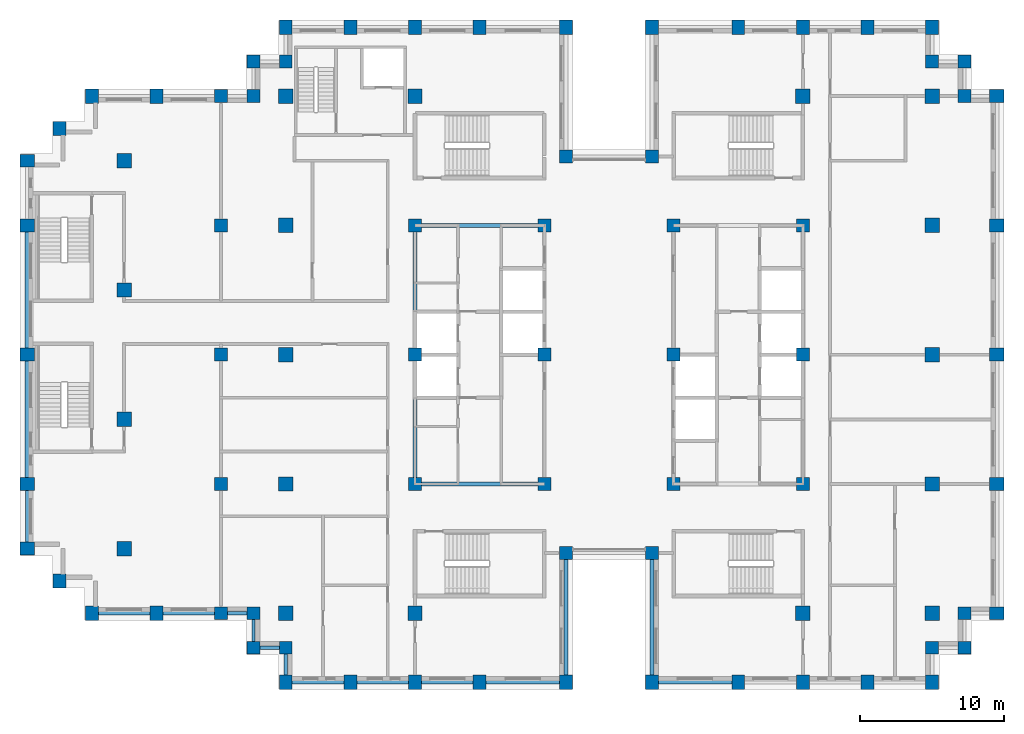
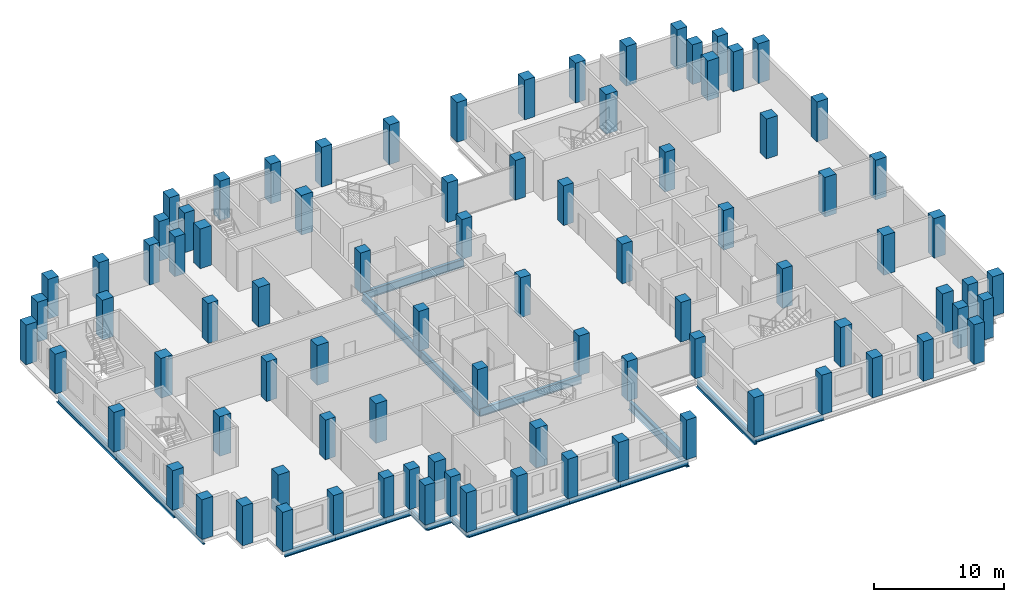
# One storey, part 1 of 15: 87 columns, 20 beams.
"""IFC4 building model written with IfcOpenShell, lengths in metres."""

from ifc_helpers import new_model, si_unit, direction, frame, origin, origin_2d, place, context, subcontext, project, spatial, rectangle, i_section, extrude, material, material_profile, profile_set, type_object, element, save


model = new_model("IFC4")

# Units and contexts
model_context = context("Model", 3, precision=1e-05, world=origin(), true_north=direction((0.0, 1.0)))
body_context = subcontext(model_context, "Body", "Model", "MODEL_VIEW")
ifc_project = project(units=[si_unit("LENGTHUNIT", "METRE"), si_unit("AREAUNIT", "SQUARE_METRE"), si_unit("VOLUMEUNIT", "CUBIC_METRE"), si_unit("PLANEANGLEUNIT", "RADIAN"), si_unit("MASSUNIT", "GRAM", prefix="KILO")], contexts=[model_context])

# Site, building, storey
site_placement = place(None, origin())
site = spatial("IfcSite", under=ifc_project, at=site_placement, CompositionType="ELEMENT")
building_placement = place(site_placement, origin())
building = spatial("IfcBuilding", under=site, at=building_placement, Name="Corbelhall Arena Tower", CompositionType="ELEMENT")
storey_placement = place(building_placement, frame((0.0, 0.0, 208.0)))
storey = spatial("IfcBuildingStorey", under=building, at=storey_placement, Name="L43", CompositionType="ELEMENT", Elevation=208.0)

# Columns
ifc_material_1 = material(Name="Concrete C80/95", Category="concrete")
ifc_material_profile_1 = material_profile(ifc_material_1, rectangle(XDim=1.0, YDim=1.0, at=origin_2d()))
ifc_profile_set_1 = profile_set([ifc_material_profile_1], Name="Concrete C80/95")
column_type_1 = type_object("IfcColumnType", Name="ST-COL-RC 1000x1000", PredefinedType="COLUMN", material=ifc_profile_set_1)
for number, where, z_axis, x_axis, name in (
    (1, (-33.75, 4.5, 0.0), (0.0, 0.0, 1.0), (1.0, 0.0, 0.0), "Column FIC+0450"),
    (2, (-33.75, 13.5, 0.0), (0.0, 0.0, 1.0), (1.0, 0.0, 0.0), "Column FIC+1350"),
    (3, (-33.75, -4.5, 0.0), (0.0, 0.0, 1.0), (1.0, 0.0, 0.0), "Column FIC-0450"),
    (4, (-33.75, -13.5, 0.0), (0.0, 0.0, 1.0), (1.0, 0.0, 0.0), "Column FIC-1350"),
    (5, (13.5, 18.0, 0.0), (0.0, 0.0, 1.0), (1.0, 0.0, 0.0), "Column IE13+1800"),
    (6, (13.5, -18.0, 0.0), (0.0, 0.0, 1.0), (1.0, 0.0, 0.0), "Column IE13-1800"),
    (7, (22.5, 0.0, 0.0), (0.0, 0.0, 1.0), (1.0, 0.0, 0.0), "Column IE22+0000"),
    (8, (22.5, 9.0, 0.0), (0.0, 0.0, 1.0), (1.0, 0.0, 0.0), "Column IE22+0900"),
    (9, (22.5, 18.0, 0.0), (0.0, 0.0, 1.0), (1.0, 0.0, 0.0), "Column IE22+1800"),
    (10, (22.5, -9.0, 0.0), (0.0, 0.0, 1.0), (1.0, 0.0, 0.0), "Column IE22-0900"),
    (11, (22.5, -18.0, 0.0), (0.0, 0.0, 1.0), (1.0, 0.0, 0.0), "Column IE22-1800"),
    (12, (-13.5, 18.0, 0.0), (0.0, 0.0, 1.0), (1.0, 0.0, 0.0), "Column IW13+1800"),
    (13, (-13.5, -18.0, 0.0), (0.0, 0.0, 1.0), (1.0, 0.0, 0.0), "Column IW13-1800"),
    (14, (-22.5, 0.0, 0.0), (0.0, 0.0, 1.0), (1.0, 0.0, 0.0), "Column IW22+0000"),
    (15, (-22.5, 9.0, 0.0), (0.0, 0.0, 1.0), (1.0, 0.0, 0.0), "Column IW22+0900"),
    (16, (-22.5, 18.0, 0.0), (0.0, 0.0, 1.0), (1.0, 0.0, 0.0), "Column IW22+1800"),
    (17, (-22.5, -9.0, 0.0), (0.0, 0.0, 1.0), (1.0, 0.0, 0.0), "Column IW22-0900"),
    (18, (-22.5, -18.0, 0.0), (0.0, 0.0, 1.0), (1.0, 0.0, 0.0), "Column IW22-1800"),
):
    element("IfcColumn", number, at=place(storey_placement, frame(where, z_axis=z_axis, x_axis=x_axis)), inside=storey, type_object=column_type_1, Name=name, PredefinedType="COLUMN", context=body_context, shape_type="SweptSolid", body=[
        extrude(rectangle(XDim=1.0, YDim=1.0, at=origin_2d()), origin(), (0.0, 0.0, 1.0), 3.719970703125),
    ])
ifc_material_profile_2 = material_profile(ifc_material_1, rectangle(XDim=0.89990234375, YDim=1.0, at=origin_2d()))
ifc_profile_set_2 = profile_set([ifc_material_profile_2], Name="Concrete C80/95")
column_type_2 = type_object("IfcColumnType", Name="ST-COL-RC 900x1000", PredefinedType="COLUMN", material=ifc_profile_set_2)
for number, where, z_axis, x_axis, name in (
    (19, (-40.5, 0.0, 0.0), (0.0, 0.0, 1.0), (0.0, 1.0, 0.0), "Column FC+0000"),
    (20, (-40.5, 9.0, 0.0), (0.0, 0.0, 1.0), (0.0, 1.0, 0.0), "Column FC+0900"),
    (21, (-40.5, 13.5, 0.0), (0.0, 0.0, 1.0), (0.0, 1.0, 0.0), "Column FC+1350"),
    (22, (-40.5, -9.0, 0.0), (0.0, 0.0, 1.0), (0.0, 1.0, 0.0), "Column FC-0900"),
    (23, (-40.5, -13.5, 0.0), (0.0, 0.0, 1.0), (0.0, 1.0, 0.0), "Column FC-1350"),
    (24, (-38.25, 15.75, 0.0), (0.0, 0.0, 1.0), (1.0, 0.0, 0.0), "Column FCCN"),
    (25, (-38.25, -15.75, 0.0), (0.0, 0.0, 1.0), (1.0, 0.0, 0.0), "Column FCCS"),
    (26, (-31.5, 18.0, 0.0), (0.0, 0.0, 1.0), (1.0, 0.0, 0.0), "Column FCN3150"),
    (27, (-36.0, 18.0, 0.0), (0.0, 0.0, 1.0), (1.0, 0.0, 0.0), "Column FCN3600"),
    (28, (-31.5, -18.0, 0.0), (0.0, 0.0, 1.0), (1.0, 0.0, 0.0), "Column FCS3150"),
    (29, (-36.0, -18.0, 0.0), (0.0, 0.0, 1.0), (1.0, 0.0, 0.0), "Column FCS3600"),
    (30, (27.0, 0.0, 0.0), (0.0, 0.0, 1.0), (0.0, 1.0, 0.0), "Column PE+0000"),
    (31, (27.0, 9.0, 0.0), (0.0, 0.0, 1.0), (0.0, 1.0, 0.0), "Column PE+0900"),
    (32, (27.0, 18.0, 0.0), (0.0, 0.0, 1.0), (0.0, 1.0, 0.0), "Column PE+1800"),
    (33, (27.0, -9.0, 0.0), (0.0, 0.0, 1.0), (0.0, 1.0, 0.0), "Column PE-0900"),
    (34, (27.0, -18.0, 0.0), (0.0, 0.0, 1.0), (0.0, 1.0, 0.0), "Column PE-1800"),
    (35, (3.0, 22.800048828125, 0.0), (0.0, 0.0, 1.0), (1.0, 0.0, 0.0), "Column PNE0300"),
    (36, (9.0, 22.800048828125, 0.0), (0.0, 0.0, 1.0), (1.0, 0.0, 0.0), "Column PNE0900"),
    (37, (13.5, 22.800048828125, 0.0), (0.0, 0.0, 1.0), (1.0, 0.0, 0.0), "Column PNE1350"),
    (38, (18.0, 22.800048828125, 0.0), (0.0, 0.0, 1.0), (1.0, 0.0, 0.0), "Column PNE1800"),
    (39, (22.5, 22.800048828125, 0.0), (0.0, 0.0, 1.0), (1.0, 0.0, 0.0), "Column PNE2250"),
    (40, (-3.0, 22.800048828125, 0.0), (0.0, 0.0, 1.0), (1.0, 0.0, 0.0), "Column PNW0300"),
    (41, (-9.0, 22.800048828125, 0.0), (0.0, 0.0, 1.0), (1.0, 0.0, 0.0), "Column PNW0900"),
    (42, (-13.5, 22.800048828125, 0.0), (0.0, 0.0, 1.0), (1.0, 0.0, 0.0), "Column PNW1350"),
    (43, (-18.0, 22.800048828125, 0.0), (0.0, 0.0, 1.0), (1.0, 0.0, 0.0), "Column PNW1800"),
    (44, (-22.5, 22.800048828125, 0.0), (0.0, 0.0, 1.0), (1.0, 0.0, 0.0), "Column PNW2250"),
    (45, (3.0, -22.800048828125, 0.0), (0.0, 0.0, 1.0), (1.0, 0.0, 0.0), "Column PSE0300"),
    (46, (9.0, -22.800048828125, 0.0), (0.0, 0.0, 1.0), (1.0, 0.0, 0.0), "Column PSE0900"),
    (47, (13.5, -22.800048828125, 0.0), (0.0, 0.0, 1.0), (1.0, 0.0, 0.0), "Column PSE1350"),
    (48, (18.0, -22.800048828125, 0.0), (0.0, 0.0, 1.0), (1.0, 0.0, 0.0), "Column PSE1800"),
    (49, (22.5, -22.800048828125, 0.0), (0.0, 0.0, 1.0), (1.0, 0.0, 0.0), "Column PSE2250"),
    (50, (-3.0, -22.800048828125, 0.0), (0.0, 0.0, 1.0), (1.0, 0.0, 0.0), "Column PSW0300"),
    (51, (-9.0, -22.800048828125, 0.0), (0.0, 0.0, 1.0), (1.0, 0.0, 0.0), "Column PSW0900"),
    (52, (-13.5, -22.800048828125, 0.0), (0.0, 0.0, 1.0), (1.0, 0.0, 0.0), "Column PSW1350"),
    (53, (-18.0, -22.800048828125, 0.0), (0.0, 0.0, 1.0), (1.0, 0.0, 0.0), "Column PSW1800"),
    (54, (-22.5, -22.800048828125, 0.0), (0.0, 0.0, 1.0), (1.0, 0.0, 0.0), "Column PSW2250"),
):
    element("IfcColumn", number, at=place(storey_placement, frame(where, z_axis=z_axis, x_axis=x_axis)), inside=storey, type_object=column_type_2, Name=name, PredefinedType="COLUMN", context=body_context, shape_type="SweptSolid", body=[
        extrude(rectangle(XDim=0.89990234375, YDim=1.0, at=origin_2d()), origin(), (0.0, 0.0, 1.0), 3.719970703125),
    ])
ifc_material_profile_3 = material_profile(ifc_material_1, rectangle(XDim=0.89990234375, YDim=0.89990234375, at=origin_2d()))
ifc_profile_set_3 = profile_set([ifc_material_profile_3], Name="Concrete C80/95")
column_type_3 = type_object("IfcColumnType", Name="ST-COL-RC 900x900", PredefinedType="COLUMN", material=ifc_profile_set_3)
for number, where, z_axis, x_axis, name in (
    (55, (4.5, 0.0, 0.0), (0.0, 0.0, 1.0), (1.0, 0.0, 0.0), "Column KE+0450+0000"),
    (56, (4.5, 9.0, 0.0), (0.0, 0.0, 1.0), (1.0, 0.0, 0.0), "Column KE+0450+0900"),
    (57, (4.5, -9.0, 0.0), (0.0, 0.0, 1.0), (1.0, 0.0, 0.0), "Column KE+0450-0900"),
    (58, (13.5, 0.0, 0.0), (0.0, 0.0, 1.0), (1.0, 0.0, 0.0), "Column KE+1350+0000"),
    (59, (13.5, 9.0, 0.0), (0.0, 0.0, 1.0), (1.0, 0.0, 0.0), "Column KE+1350+0900"),
    (60, (13.5, -9.0, 0.0), (0.0, 0.0, 1.0), (1.0, 0.0, 0.0), "Column KE+1350-0900"),
    (61, (-4.5, 0.0, 0.0), (0.0, 0.0, 1.0), (1.0, 0.0, 0.0), "Column KW-0450+0000"),
    (62, (-4.5, 9.0, 0.0), (0.0, 0.0, 1.0), (1.0, 0.0, 0.0), "Column KW-0450+0900"),
    (63, (-4.5, -9.0, 0.0), (0.0, 0.0, 1.0), (1.0, 0.0, 0.0), "Column KW-0450-0900"),
    (64, (-13.5, 0.0, 0.0), (0.0, 0.0, 1.0), (1.0, 0.0, 0.0), "Column KW-1350+0000"),
    (65, (-13.5, 9.0, 0.0), (0.0, 0.0, 1.0), (1.0, 0.0, 0.0), "Column KW-1350+0900"),
    (66, (-13.5, -9.0, 0.0), (0.0, 0.0, 1.0), (1.0, 0.0, 0.0), "Column KW-1350-0900"),
    (67, (-27.0, 0.0, 0.0), (0.0, 0.0, 1.0), (1.0, 0.0, 0.0), "Column PW+0000"),
    (68, (-27.0, 9.0, 0.0), (0.0, 0.0, 1.0), (1.0, 0.0, 0.0), "Column PW+0900"),
    (69, (-27.0, 18.0, 0.0), (0.0, 0.0, 1.0), (1.0, 0.0, 0.0), "Column PW+1800"),
    (70, (-27.0, -9.0, 0.0), (0.0, 0.0, 1.0), (1.0, 0.0, 0.0), "Column PW-0900"),
    (71, (-27.0, -18.0, 0.0), (0.0, 0.0, 1.0), (1.0, 0.0, 0.0), "Column PW-1800"),
    (72, (3.0, 13.800048828125, 0.0), (0.0, 0.0, 1.0), (1.0, 0.0, 0.0), "Column SLNE2"),
    (73, (-3.0, 13.800048828125, 0.0), (0.0, 0.0, 1.0), (1.0, 0.0, 0.0), "Column SLNW2"),
    (74, (3.0, -13.800048828125, 0.0), (0.0, 0.0, 1.0), (1.0, 0.0, 0.0), "Column SLSE2"),
    (75, (-3.0, -13.800048828125, 0.0), (0.0, 0.0, 1.0), (1.0, 0.0, 0.0), "Column SLSW2"),
    (76, (22.5, 20.39990234375, 0.0), (0.0, 0.0, 1.0), (1.0, 0.0, 0.0), "Column XNE1"),
    (77, (24.75, 20.39990234375, 0.0), (0.0, 0.0, 1.0), (1.0, 0.0, 0.0), "Column XNE2"),
    (78, (24.75, 18.0, 0.0), (0.0, 0.0, 1.0), (1.0, 0.0, 0.0), "Column XNE3"),
    (79, (-22.5, 20.39990234375, 0.0), (0.0, 0.0, 1.0), (1.0, 0.0, 0.0), "Column XNW1"),
    (80, (-24.75, 20.39990234375, 0.0), (0.0, 0.0, 1.0), (1.0, 0.0, 0.0), "Column XNW2"),
    (81, (-24.75, 18.0, 0.0), (0.0, 0.0, 1.0), (1.0, 0.0, 0.0), "Column XNW3"),
    (82, (22.5, -20.39990234375, 0.0), (0.0, 0.0, 1.0), (1.0, 0.0, 0.0), "Column XSE1"),
    (83, (24.75, -20.39990234375, 0.0), (0.0, 0.0, 1.0), (1.0, 0.0, 0.0), "Column XSE2"),
    (84, (24.75, -18.0, 0.0), (0.0, 0.0, 1.0), (1.0, 0.0, 0.0), "Column XSE3"),
    (85, (-22.5, -20.39990234375, 0.0), (0.0, 0.0, 1.0), (1.0, 0.0, 0.0), "Column XSW1"),
    (86, (-24.75, -20.39990234375, 0.0), (0.0, 0.0, 1.0), (1.0, 0.0, 0.0), "Column XSW2"),
    (87, (-24.75, -18.0, 0.0), (0.0, 0.0, 1.0), (1.0, 0.0, 0.0), "Column XSW3"),
):
    element("IfcColumn", number, at=place(storey_placement, frame(where, z_axis=z_axis, x_axis=x_axis)), inside=storey, type_object=column_type_3, Name=name, PredefinedType="COLUMN", context=body_context, shape_type="SweptSolid", body=[
        extrude(rectangle(XDim=0.89990234375, YDim=0.89990234375, at=origin_2d()), origin(), (0.0, 0.0, 1.0), 3.719970703125),
    ])

# Beams
ifc_material_2 = material(Name="Steel ASTM A992 Gr50", Category="steel")
ifc_material_profile_4 = material_profile(ifc_material_2, i_section(OverallWidth=0.2666015625, OverallDepth=0.761962890625, WebThickness=0.014404296875, FlangeThickness=0.021484375, at=origin_2d()))
ifc_profile_set_4 = profile_set([ifc_material_profile_4], Name="Steel ASTM A992 Gr50")
beam_type_1 = type_object("IfcBeamType", Name="ST-BEAM-W30x116", PredefinedType="BEAM", material=ifc_profile_set_4)
for number, where, z_axis, x_axis, name in (
    (88, (-13.5, -9.0, -0.660888671875), (0.0, 1.0, 0.0), (-1.0, 0.0, 0.0), "Beam CEW 1"),
    (89, (-13.5, 0.0, -0.660888671875), (0.0, 1.0, 0.0), (-1.0, 0.0, 0.0), "Beam CEW 2"),
    (90, (-13.5, -9.0, -0.660888671875), (1.0, 0.0, 0.0), (0.0, 1.0, 0.0), "Beam CEW 5"),
    (91, (-13.5, 9.0, -0.660888671875), (1.0, 0.0, 0.0), (0.0, 1.0, 0.0), "Beam CEW 6"),
):
    element("IfcBeam", number, at=place(storey_placement, frame(where, z_axis=z_axis, x_axis=x_axis)), inside=storey, type_object=beam_type_1, Name=name, PredefinedType="BEAM", context=body_context, shape_type="SweptSolid", body=[
        extrude(i_section(OverallWidth=0.2666015625, OverallDepth=0.761962890625, WebThickness=0.014404296875, FlangeThickness=0.021484375, at=origin_2d()), origin(), (0.0, 0.0, 1.0), 9.0),
    ])
ifc_material_profile_5 = material_profile(ifc_material_2, i_section(OverallWidth=0.228271484375, OverallDepth=0.607177734375, WebThickness=0.01123046875, FlangeThickness=0.017333984375, at=origin_2d()))
ifc_profile_set_5 = profile_set([ifc_material_profile_5], Name="Steel ASTM A992 Gr50")
beam_type_2 = type_object("IfcBeamType", Name="ST-SPANDREL-W24x76", PredefinedType="SPANDREL", material=ifc_profile_set_5)
for number, where, z_axis, x_axis, name in (
    (92, (-40.5, -13.5, -0.58349609375), (0.0, 1.0, 0.0), (-1.0, 0.0, 0.0), "Beam SP 4"),
    (93, (-31.5, -18.0, -0.58349609375), (-1.0, 0.0, 0.0), (0.0, -1.0, 0.0), "Beam SP 7"),
):
    element("IfcBeam", number, at=place(storey_placement, frame(where, z_axis=z_axis, x_axis=x_axis)), inside=storey, type_object=beam_type_2, Name=name, PredefinedType="SPANDREL", context=body_context, shape_type="SweptSolid", body=[
        extrude(i_section(OverallWidth=0.228271484375, OverallDepth=0.607177734375, WebThickness=0.01123046875, FlangeThickness=0.017333984375, at=origin_2d()), origin(), (0.0, 0.0, 1.0), 4.5),
    ])
for number, where, z_axis, x_axis, name in (
    (94, (9.0, -22.800048828125, -0.58349609375), (-1.0, 0.0, 0.0), (0.0, -1.0, 0.0), "Beam SP 24"),
    (95, (-3.0, -22.800048828125, -0.58349609375), (-1.0, 0.0, 0.0), (0.0, -1.0, 0.0), "Beam SP 28"),
):
    element("IfcBeam", number, at=place(storey_placement, frame(where, z_axis=z_axis, x_axis=x_axis)), inside=storey, type_object=beam_type_2, Name=name, PredefinedType="SPANDREL", context=body_context, shape_type="SweptSolid", body=[
        extrude(i_section(OverallWidth=0.228271484375, OverallDepth=0.607177734375, WebThickness=0.01123046875, FlangeThickness=0.017333984375, at=origin_2d()), origin(), (0.0, 0.0, 1.0), 6.0),
    ])
for number, where, z_axis, x_axis, name in (
    (96, (-9.0, -22.800048828125, -0.58349609375), (-1.0, 0.0, 0.0), (0.0, -1.0, 0.0), "Beam SP 29"),
    (97, (-13.5, -22.800048828125, -0.58349609375), (-1.0, 0.0, 0.0), (0.0, -1.0, 0.0), "Beam SP 30"),
    (98, (-18.0, -22.800048828125, -0.58349609375), (-1.0, 0.0, 0.0), (0.0, -1.0, 0.0), "Beam SP 31"),
):
    element("IfcBeam", number, at=place(storey_placement, frame(where, z_axis=z_axis, x_axis=x_axis)), inside=storey, type_object=beam_type_2, Name=name, PredefinedType="SPANDREL", context=body_context, shape_type="SweptSolid", body=[
        extrude(i_section(OverallWidth=0.228271484375, OverallDepth=0.607177734375, WebThickness=0.01123046875, FlangeThickness=0.017333984375, at=origin_2d()), origin(), (0.0, 0.0, 1.0), 4.5),
    ])
beam_1_placement = place(storey_placement, frame((-22.5, -22.800048828125, -0.58349609375), z_axis=(0.0, 1.0, 0.0), x_axis=(-1.0, 0.0, 0.0)))
element("IfcBeam", 99, at=beam_1_placement, inside=storey, type_object=beam_type_2, Name="Beam SP 32", PredefinedType="SPANDREL", context=body_context, shape_type="SweptSolid", body=[
    extrude(i_section(OverallWidth=0.228271484375, OverallDepth=0.607177734375, WebThickness=0.01123046875, FlangeThickness=0.017333984375, at=origin_2d()), origin(), (0.0, 0.0, 1.0), 2.400146484375),
])
beam_2_placement = place(storey_placement, frame((-27.0, -18.0, -0.58349609375), z_axis=(-1.0, 0.0, 0.0), x_axis=(0.0, -1.0, 0.0)))
element("IfcBeam", 100, at=beam_2_placement, inside=storey, type_object=beam_type_2, Name="Beam SP 34", PredefinedType="SPANDREL", context=body_context, shape_type="SweptSolid", body=[
    extrude(i_section(OverallWidth=0.228271484375, OverallDepth=0.607177734375, WebThickness=0.01123046875, FlangeThickness=0.017333984375, at=origin_2d()), origin(), (0.0, 0.0, 1.0), 4.5),
])
beam_3_placement = place(storey_placement, frame((-22.5, -20.39990234375, -0.58349609375), z_axis=(-1.0, 0.0, 0.0), x_axis=(0.0, -1.0, 0.0)))
element("IfcBeam", 101, at=beam_3_placement, inside=storey, type_object=beam_type_2, Name="Beam SP 48", PredefinedType="SPANDREL", context=body_context, shape_type="SweptSolid", body=[
    extrude(i_section(OverallWidth=0.228271484375, OverallDepth=0.607177734375, WebThickness=0.01123046875, FlangeThickness=0.017333984375, at=origin_2d()), origin(), (0.0, 0.0, 1.0), 2.25),
])
beam_4_placement = place(storey_placement, frame((-24.75, -20.39990234375, -0.58349609375), z_axis=(0.0, 1.0, 0.0), x_axis=(-1.0, 0.0, 0.0)))
element("IfcBeam", 102, at=beam_4_placement, inside=storey, type_object=beam_type_2, Name="Beam SP 49", PredefinedType="SPANDREL", context=body_context, shape_type="SweptSolid", body=[
    extrude(i_section(OverallWidth=0.228271484375, OverallDepth=0.607177734375, WebThickness=0.01123046875, FlangeThickness=0.017333984375, at=origin_2d()), origin(), (0.0, 0.0, 1.0), 2.39990234375),
])
beam_5_placement = place(storey_placement, frame((-24.75, -18.0, -0.58349609375), z_axis=(-1.0, 0.0, 0.0), x_axis=(0.0, -1.0, 0.0)))
element("IfcBeam", 103, at=beam_5_placement, inside=storey, type_object=beam_type_2, Name="Beam SP 50", PredefinedType="SPANDREL", context=body_context, shape_type="SweptSolid", body=[
    extrude(i_section(OverallWidth=0.228271484375, OverallDepth=0.607177734375, WebThickness=0.01123046875, FlangeThickness=0.017333984375, at=origin_2d()), origin(), (0.0, 0.0, 1.0), 2.25),
])
ifc_material_profile_6 = material_profile(ifc_material_2, i_section(OverallWidth=0.2919921875, OverallDepth=0.845703125, WebThickness=0.015380859375, FlangeThickness=0.0244140625, at=origin_2d()))
ifc_profile_set_6 = profile_set([ifc_material_profile_6], Name="Steel ASTM A992 Gr50")
beam_type_3 = type_object("IfcBeamType", Name="ST-SPANDREL-W33x141", PredefinedType="SPANDREL", material=ifc_profile_set_6)
for number, where, z_axis, x_axis, name in (
    (104, (-40.5, 0.0, -0.702880859375), (0.0, 1.0, 0.0), (-1.0, 0.0, 0.0), "Beam SP 1"),
    (105, (-40.5, -9.0, -0.702880859375), (0.0, 1.0, 0.0), (-1.0, 0.0, 0.0), "Beam SP 3"),
    (106, (3.0, -22.800048828125, -0.702880859375), (0.0, 1.0, 0.0), (-1.0, 0.0, 0.0), "Beam SP 23"),
    (107, (-3.0, -13.800048828125, -0.702880859375), (0.0, -1.0, 0.0), (1.0, 0.0, 0.0), "Beam SP 38"),
):
    element("IfcBeam", number, at=place(storey_placement, frame(where, z_axis=z_axis, x_axis=x_axis)), inside=storey, type_object=beam_type_3, Name=name, PredefinedType="SPANDREL", context=body_context, shape_type="SweptSolid", body=[
        extrude(i_section(OverallWidth=0.2919921875, OverallDepth=0.845703125, WebThickness=0.015380859375, FlangeThickness=0.0244140625, at=origin_2d()), origin(), (0.0, 0.0, 1.0), 9.0),
    ])

save(model, "model.ifc")
